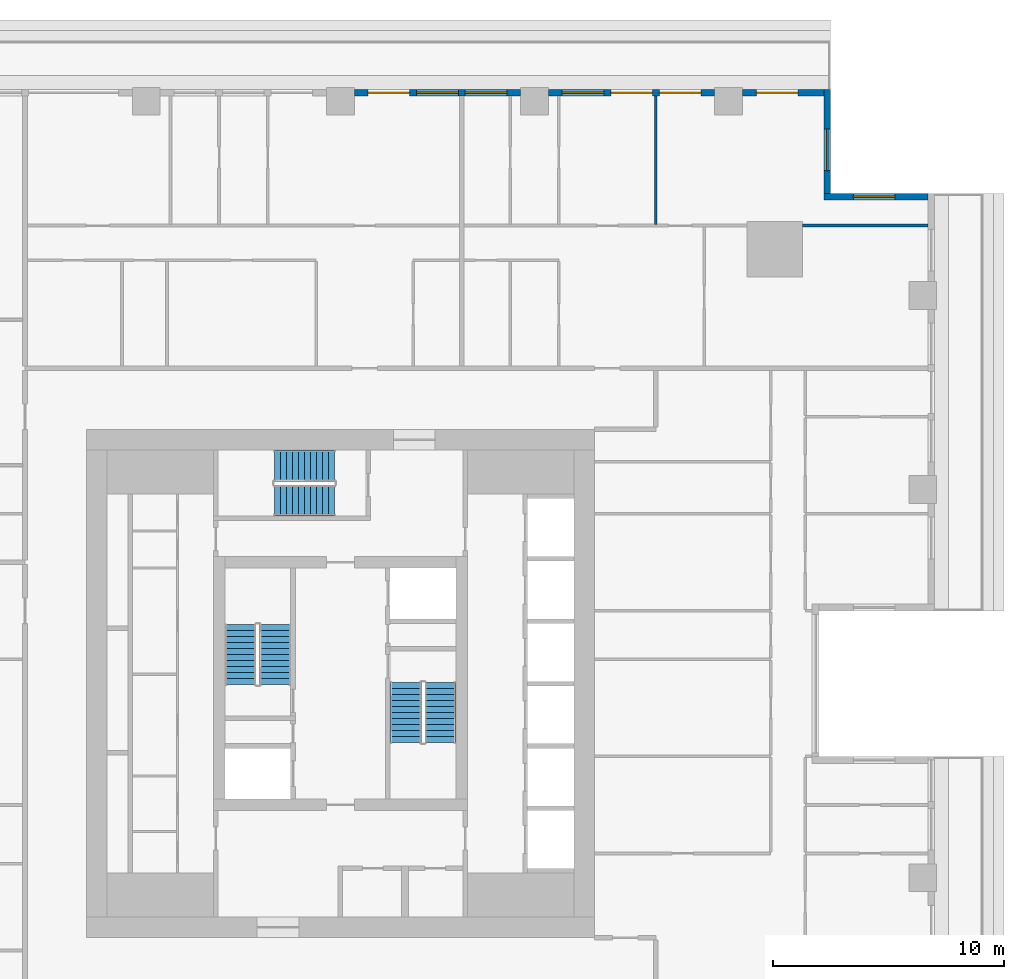
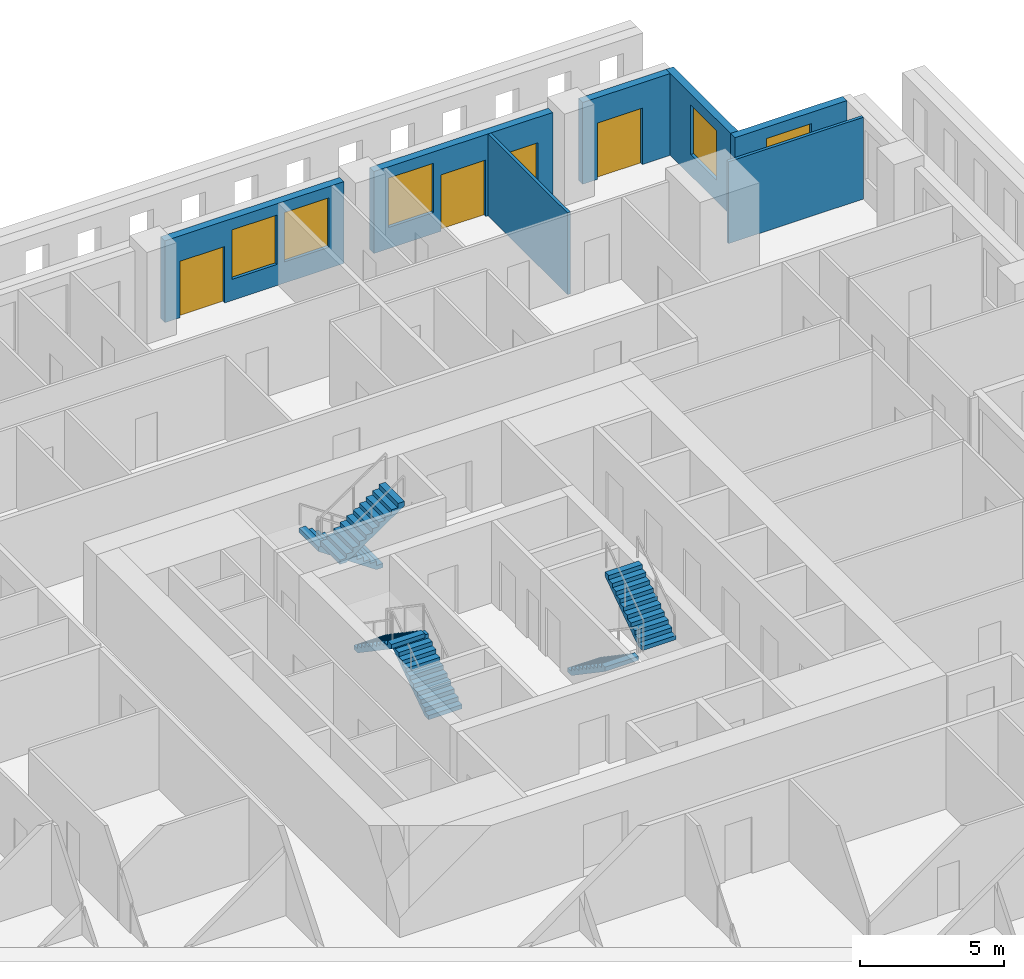
# One storey, part 10 of 16: 7 walls, 6 stair flights, 5 windows, 4 doors, 9 openings, 3 elements without a shape of their own.
"""IFC4 building model written with IfcOpenShell, lengths in metres."""

from ifc_helpers import new_model, si_unit, direction, frame, frame_2d, origin, place, context, subcontext, project, spatial, polyline, rectangle, outline, extrude, material, layer, layer_set, type_object, element, fill, aggregate, save


model = new_model("IFC4")

# Units and contexts
model_context = context("Model", 3, precision=1e-05, world=origin(), true_north=direction((0.0, 1.0)))
body_context = subcontext(model_context, "Body", "Model", "MODEL_VIEW")
ifc_project = project(units=[si_unit("LENGTHUNIT", "METRE"), si_unit("AREAUNIT", "SQUARE_METRE"), si_unit("VOLUMEUNIT", "CUBIC_METRE"), si_unit("PLANEANGLEUNIT", "RADIAN"), si_unit("MASSUNIT", "GRAM", prefix="KILO")], contexts=[model_context])

# Site, building, storey
site_placement = place(None, origin())
site = spatial("IfcSite", under=ifc_project, at=site_placement, CompositionType="ELEMENT")
building_placement = place(site_placement, origin())
building = spatial("IfcBuilding", under=site, at=building_placement, Name="Khepri Terraces", CompositionType="ELEMENT")
storey_placement = place(building_placement, frame((0.0, 0.0, 192.300048828125)))
storey = spatial("IfcBuildingStorey", under=building, at=storey_placement, Name="L45", CompositionType="ELEMENT", Elevation=192.300048828125)

# Wall, opening, window
ifc_material_1 = material(Name="Precast concrete C50/60 warm stone", Category="masonry")
ifc_layer_1 = layer(ifc_material_1, 0.300048828125, Name="Precast concrete C50/60 warm stone", Category="masonry")
ifc_layer_set_1 = layer_set([ifc_layer_1], Name="Precast concrete C50/60 warm stone")
wall_type_1 = type_object("IfcWallType", Name="WL-EXT-PRECAST-300", PredefinedType="STANDARD", material=ifc_layer_set_1)
wall_1_placement = place(storey_placement, frame((25.419921875, 21.070068359375, 0.0), z_axis=(0.0, 0.0, 1.0), x_axis=(-1.0, 0.0, 0.0)))
wall_1 = element("IfcWall", 1, at=wall_1_placement, inside=storey, type_object=wall_type_1, Name="External wall L45 N", PredefinedType="STANDARD", context=body_context, shape_type="SweptSolid", body=[
    extrude(rectangle(XDim=4.5, YDim=0.300048828125, at=frame_2d((2.25, 0.0))), origin(), (0.0, 0.0, 1.0), 3.47998046875),
])
opening_1_placement = place(wall_1_placement, frame((1.419921875, 0.0, 0.89990234375)))
opening_1 = element("IfcOpeningElement", 2, at=opening_1_placement, cuts=wall_1, Name="Opening W1", PredefinedType="OPENING", context=body_context, shape_type="SweptSolid", body=[
    extrude(rectangle(XDim=1.800048828125, YDim=2.10009765625, at=frame_2d((0.89990234375, 1.050048828125))), frame((0.0, 0.16015625, 0.0), z_axis=(0.0, -1.0, 0.0), x_axis=(1.0, 0.0, 0.0)), (0.0, 0.0, 1.0), 0.320068359375),
])
ifc_material_2 = material(Name="Clear glass", Category="glass")
window_type = type_object("IfcWindowType", Name="WIN-RES-1800x2100", PartitioningType="SINGLE_PANEL", PredefinedType="WINDOW", material=ifc_material_2)
window_1_placement = place(opening_1_placement, origin())
window_1 = element("IfcWindow", 3, at=window_1_placement, inside=storey, type_object=window_type, Name="Window L45 N", OverallHeight=2.10009765625, OverallWidth=1.800048828125, PartitioningType="SINGLE_PANEL", PredefinedType="WINDOW", context=body_context, shape_type="SweptSolid", body=[
    extrude(rectangle(XDim=1.800048828125, YDim=2.10009765625, at=frame_2d((0.89990234375, 1.050048828125))), frame((0.0, 0.030029296875, 0.0), z_axis=(0.0, -1.0, 0.0), x_axis=(1.0, 0.0, 0.0)), (0.0, 0.0, 1.0), 0.06005859375),
])
fill(opening_1, window_1)

wall_2_placement = place(storey_placement, frame((21.070068359375, 21.219970703125, 0.0), z_axis=(0.0, 0.0, 1.0), x_axis=(0.0, 1.0, 0.0)))
wall_2 = element("IfcWall", 4, at=wall_2_placement, inside=storey, type_object=wall_type_1, Name="External wall L45 E", PredefinedType="STANDARD", context=body_context, shape_type="SweptSolid", body=[
    extrude(rectangle(XDim=4.5, YDim=0.300048828125, at=frame_2d((2.25, 0.0))), origin(), (0.0, 0.0, 1.0), 3.47998046875),
])
opening_2_placement = place(wall_2_placement, frame((0.97998046875, 0.0, 0.89990234375)))
opening_2 = element("IfcOpeningElement", 5, at=opening_2_placement, cuts=wall_2, Name="Opening W1", PredefinedType="OPENING", context=body_context, shape_type="SweptSolid", body=[
    extrude(rectangle(XDim=1.800048828125, YDim=2.10009765625, at=frame_2d((0.89990234375, 1.050048828125))), frame((0.0, 0.16015625, 0.0), z_axis=(0.0, -1.0, 0.0), x_axis=(1.0, 0.0, 0.0)), (0.0, 0.0, 1.0), 0.320068359375),
])
window_2_placement = place(opening_2_placement, origin())
window_2 = element("IfcWindow", 6, at=window_2_placement, inside=storey, type_object=window_type, Name="Window L45 E", OverallHeight=2.10009765625, OverallWidth=1.800048828125, PartitioningType="SINGLE_PANEL", PredefinedType="WINDOW", context=body_context, shape_type="SweptSolid", body=[
    extrude(rectangle(XDim=1.800048828125, YDim=2.10009765625, at=frame_2d((0.89990234375, 1.050048828125))), frame((0.0, 0.030029296875, 0.0), z_axis=(0.0, -1.0, 0.0), x_axis=(1.0, 0.0, 0.0)), (0.0, 0.0, 1.0), 0.06005859375),
])
fill(opening_2, window_2)

# Wall, opening, door
wall_3_placement = place(storey_placement, frame((20.919921875, 25.570068359375, 0.0), z_axis=(0.0, 0.0, 1.0), x_axis=(-1.0, 0.0, 0.0)))
wall_3 = element("IfcWall", 7, at=wall_3_placement, inside=storey, type_object=wall_type_1, Name="External wall L45 N", PredefinedType="STANDARD", context=body_context, shape_type="SweptSolid", body=[
    extrude(rectangle(XDim=3.52001953125, YDim=0.300048828125, at=frame_2d((1.760009765625, 0.0))), origin(), (0.0, 0.0, 1.0), 3.47998046875),
])
opening_3_placement = place(wall_3_placement, frame((1.1201171875, 0.0, 0.0)))
opening_3 = element("IfcOpeningElement", 8, at=opening_3_placement, cuts=wall_3, Name="Opening ED-L45-05", PredefinedType="OPENING", context=body_context, shape_type="SweptSolid", body=[
    extrude(rectangle(XDim=1.800048828125, YDim=2.39990234375, at=frame_2d((0.89990234375, 1.199951171875))), frame((0.0, 0.16015625, 0.0), z_axis=(0.0, -1.0, 0.0), x_axis=(1.0, 0.0, 0.0)), (0.0, 0.0, 1.0), 0.320068359375),
])
ifc_material_3 = material(Name="Anodised aluminium bronze glazed door", Category="aluminium")
door_type = type_object("IfcDoorType", Name="DR-BAL-SLIDE-1800x2400", OperationType="NOTDEFINED", PredefinedType="DOOR", material=ifc_material_3)
door_1_placement = place(opening_3_placement, origin())
door_1 = element("IfcDoor", 9, at=door_1_placement, inside=storey, type_object=door_type, Name="Balcony door L45 N", OperationType="SLIDING_TO_RIGHT", OverallHeight=2.39990234375, OverallWidth=1.800048828125, PredefinedType="DOOR", context=body_context, shape_type="SweptSolid", body=[
    extrude(rectangle(XDim=1.800048828125, YDim=2.39990234375, at=frame_2d((0.89990234375, 1.199951171875))), frame((0.0, 0.02490234375, 0.0), z_axis=(0.0, -1.0, 0.0), x_axis=(1.0, 0.0, 0.0)), (0.0, 0.0, 1.0), 0.050048828125),
])
fill(opening_3, door_1)

# Wall, openings, doors, window
wall_4_placement = place(storey_placement, frame((16.199951171875, 25.570068359375, 0.0), z_axis=(0.0, 0.0, 1.0), x_axis=(-1.0, 0.0, 0.0)))
wall_4 = element("IfcWall", 10, at=wall_4_placement, inside=storey, type_object=wall_type_1, Name="External wall L45 N", PredefinedType="STANDARD", context=body_context, shape_type="SweptSolid", body=[
    extrude(rectangle(XDim=7.199951171875, YDim=0.300048828125, at=frame_2d((3.60009765625, 0.0))), origin(), (0.0, 0.0, 1.0), 3.47998046875),
])
opening_4_placement = place(wall_4_placement, frame((0.60009765625, 0.0, 0.0)))
opening_4 = element("IfcOpeningElement", 11, at=opening_4_placement, cuts=wall_4, Name="Opening ED-L45-06", PredefinedType="OPENING", context=body_context, shape_type="SweptSolid", body=[
    extrude(rectangle(XDim=1.800048828125, YDim=2.39990234375, at=frame_2d((0.89990234375, 1.199951171875))), frame((0.0, 0.16015625, 0.0), z_axis=(0.0, -1.0, 0.0), x_axis=(1.0, 0.0, 0.0)), (0.0, 0.0, 1.0), 0.320068359375),
])
opening_5_placement = place(wall_4_placement, frame((2.699951171875, 0.0, 0.0)))
opening_5 = element("IfcOpeningElement", 12, at=opening_5_placement, cuts=wall_4, Name="Opening ED-L45-07", PredefinedType="OPENING", context=body_context, shape_type="SweptSolid", body=[
    extrude(rectangle(XDim=1.800048828125, YDim=2.39990234375, at=frame_2d((0.89990234375, 1.199951171875))), frame((0.0, 0.16015625, 0.0), z_axis=(0.0, -1.0, 0.0), x_axis=(1.0, 0.0, 0.0)), (0.0, 0.0, 1.0), 0.320068359375),
])
opening_6_placement = place(wall_4_placement, frame((4.800048828125, 0.0, 0.89990234375)))
opening_6 = element("IfcOpeningElement", 13, at=opening_6_placement, cuts=wall_4, Name="Opening W1", PredefinedType="OPENING", context=body_context, shape_type="SweptSolid", body=[
    extrude(rectangle(XDim=1.800048828125, YDim=2.10009765625, at=frame_2d((0.89990234375, 1.050048828125))), frame((0.0, 0.16015625, 0.0), z_axis=(0.0, -1.0, 0.0), x_axis=(1.0, 0.0, 0.0)), (0.0, 0.0, 1.0), 0.320068359375),
])
door_2_placement = place(opening_4_placement, origin())
door_2 = element("IfcDoor", 14, at=door_2_placement, inside=storey, type_object=door_type, Name="Balcony door L45 N", OperationType="SLIDING_TO_LEFT", OverallHeight=2.39990234375, OverallWidth=1.800048828125, PredefinedType="DOOR", context=body_context, shape_type="SweptSolid", body=[
    extrude(rectangle(XDim=1.800048828125, YDim=2.39990234375, at=frame_2d((0.89990234375, 1.199951171875))), frame((0.0, 0.02490234375, 0.0), z_axis=(0.0, -1.0, 0.0), x_axis=(1.0, 0.0, 0.0)), (0.0, 0.0, 1.0), 0.050048828125),
])
fill(opening_4, door_2)
door_3_placement = place(opening_5_placement, origin())
door_3 = element("IfcDoor", 15, at=door_3_placement, inside=storey, type_object=door_type, Name="Balcony door L45 N", OperationType="SLIDING_TO_RIGHT", OverallHeight=2.39990234375, OverallWidth=1.800048828125, PredefinedType="DOOR", context=body_context, shape_type="SweptSolid", body=[
    extrude(rectangle(XDim=1.800048828125, YDim=2.39990234375, at=frame_2d((0.89990234375, 1.199951171875))), frame((0.0, 0.02490234375, 0.0), z_axis=(0.0, -1.0, 0.0), x_axis=(1.0, 0.0, 0.0)), (0.0, 0.0, 1.0), 0.050048828125),
])
fill(opening_5, door_3)
window_3_placement = place(opening_6_placement, origin())
window_3 = element("IfcWindow", 16, at=window_3_placement, inside=storey, type_object=window_type, Name="Window L45 N", OverallHeight=2.10009765625, OverallWidth=1.800048828125, PartitioningType="SINGLE_PANEL", PredefinedType="WINDOW", context=body_context, shape_type="SweptSolid", body=[
    extrude(rectangle(XDim=1.800048828125, YDim=2.10009765625, at=frame_2d((0.89990234375, 1.050048828125))), frame((0.0, 0.030029296875, 0.0), z_axis=(0.0, -1.0, 0.0), x_axis=(1.0, 0.0, 0.0)), (0.0, 0.0, 1.0), 0.06005859375),
])
fill(opening_6, window_3)

# Wall, openings, door, windows
wall_5_placement = place(storey_placement, frame((7.800048828125, 25.570068359375, 0.0), z_axis=(0.0, 0.0, 1.0), x_axis=(-1.0, 0.0, 0.0)))
wall_5 = element("IfcWall", 17, at=wall_5_placement, inside=storey, type_object=wall_type_1, Name="External wall L45 N", PredefinedType="STANDARD", context=body_context, shape_type="SweptSolid", body=[
    extrude(rectangle(XDim=7.199951171875, YDim=0.300048828125, at=frame_2d((3.60009765625, 0.0))), origin(), (0.0, 0.0, 1.0), 3.47998046875),
])
opening_7_placement = place(wall_5_placement, frame((0.60009765625, 0.0, 0.89990234375)))
opening_7 = element("IfcOpeningElement", 18, at=opening_7_placement, cuts=wall_5, Name="Opening W1", PredefinedType="OPENING", context=body_context, shape_type="SweptSolid", body=[
    extrude(rectangle(XDim=1.800048828125, YDim=2.10009765625, at=frame_2d((0.89990234375, 1.050048828125))), frame((0.0, 0.16015625, 0.0), z_axis=(0.0, -1.0, 0.0), x_axis=(1.0, 0.0, 0.0)), (0.0, 0.0, 1.0), 0.320068359375),
])
opening_8_placement = place(wall_5_placement, frame((2.699951171875, 0.0, 0.89990234375)))
opening_8 = element("IfcOpeningElement", 19, at=opening_8_placement, cuts=wall_5, Name="Opening W1", PredefinedType="OPENING", context=body_context, shape_type="SweptSolid", body=[
    extrude(rectangle(XDim=1.800048828125, YDim=2.10009765625, at=frame_2d((0.89990234375, 1.050048828125))), frame((0.0, 0.16015625, 0.0), z_axis=(0.0, -1.0, 0.0), x_axis=(1.0, 0.0, 0.0)), (0.0, 0.0, 1.0), 0.320068359375),
])
opening_9_placement = place(wall_5_placement, frame((4.800048828125, 0.0, 0.0)))
opening_9 = element("IfcOpeningElement", 20, at=opening_9_placement, cuts=wall_5, Name="Opening ED-L45-08", PredefinedType="OPENING", context=body_context, shape_type="SweptSolid", body=[
    extrude(rectangle(XDim=1.800048828125, YDim=2.39990234375, at=frame_2d((0.89990234375, 1.199951171875))), frame((0.0, 0.16015625, 0.0), z_axis=(0.0, -1.0, 0.0), x_axis=(1.0, 0.0, 0.0)), (0.0, 0.0, 1.0), 0.320068359375),
])
door_4_placement = place(opening_9_placement, origin())
door_4 = element("IfcDoor", 21, at=door_4_placement, inside=storey, type_object=door_type, Name="Balcony door L45 N", OperationType="SLIDING_TO_RIGHT", OverallHeight=2.39990234375, OverallWidth=1.800048828125, PredefinedType="DOOR", context=body_context, shape_type="SweptSolid", body=[
    extrude(rectangle(XDim=1.800048828125, YDim=2.39990234375, at=frame_2d((0.89990234375, 1.199951171875))), frame((0.0, 0.02490234375, 0.0), z_axis=(0.0, -1.0, 0.0), x_axis=(1.0, 0.0, 0.0)), (0.0, 0.0, 1.0), 0.050048828125),
])
fill(opening_9, door_4)
window_4_placement = place(opening_7_placement, origin())
window_4 = element("IfcWindow", 22, at=window_4_placement, inside=storey, type_object=window_type, Name="Window L45 N", OverallHeight=2.10009765625, OverallWidth=1.800048828125, PartitioningType="SINGLE_PANEL", PredefinedType="WINDOW", context=body_context, shape_type="SweptSolid", body=[
    extrude(rectangle(XDim=1.800048828125, YDim=2.10009765625, at=frame_2d((0.89990234375, 1.050048828125))), frame((0.0, 0.030029296875, 0.0), z_axis=(0.0, -1.0, 0.0), x_axis=(1.0, 0.0, 0.0)), (0.0, 0.0, 1.0), 0.06005859375),
])
fill(opening_7, window_4)
window_5_placement = place(opening_8_placement, origin())
window_5 = element("IfcWindow", 23, at=window_5_placement, inside=storey, type_object=window_type, Name="Window L45 N", OverallHeight=2.10009765625, OverallWidth=1.800048828125, PartitioningType="SINGLE_PANEL", PredefinedType="WINDOW", context=body_context, shape_type="SweptSolid", body=[
    extrude(rectangle(XDim=1.800048828125, YDim=2.10009765625, at=frame_2d((0.89990234375, 1.050048828125))), frame((0.0, 0.030029296875, 0.0), z_axis=(0.0, -1.0, 0.0), x_axis=(1.0, 0.0, 0.0)), (0.0, 0.0, 1.0), 0.06005859375),
])
fill(opening_8, window_5)

# Walls
ifc_material_4 = material(Name="Gypsum plasterboard partition")
ifc_layer_2 = layer(ifc_material_4, 0.1201171875, Name="Gypsum plasterboard partition")
ifc_layer_set_2 = layer_set([ifc_layer_2], Name="Gypsum plasterboard partition")
wall_type_2 = type_object("IfcWallType", Name="WL-PART-120", PredefinedType="PARTITIONING", material=ifc_layer_set_2)
wall_6_placement = place(storey_placement, frame((20.0, 19.820068359375, 0.0), z_axis=(0.0, 0.0, 1.0), x_axis=(1.0, 0.0, 0.0)))
element("IfcWall", 24, at=wall_6_placement, inside=storey, type_object=wall_type_2, Name="Partition P-107 L45", PredefinedType="PARTITIONING", context=body_context, shape_type="SweptSolid", body=[
    extrude(rectangle(XDim=5.419921875, YDim=0.1201171875, at=frame_2d((2.7099609375, 0.0))), origin(), (0.0, 0.0, 1.0), 3.47998046875),
])
wall_7_placement = place(storey_placement, frame((13.64990234375, 19.8798828125, 0.0), z_axis=(0.0, 0.0, 1.0), x_axis=(0.0, 1.0, 0.0)))
element("IfcWall", 25, at=wall_7_placement, inside=storey, type_object=wall_type_2, Name="Partition P-113 L45", PredefinedType="PARTITIONING", context=body_context, shape_type="SweptSolid", body=[
    extrude(rectangle(XDim=5.5400390625, YDim=0.1201171875, at=frame_2d((2.77001953125, 0.0))), origin(), (0.0, 0.0, 1.0), 3.47998046875),
])

# Stair, stair flights
ifc_material_5 = material(Name="Concrete C40/50", Category="concrete")
stair_type = type_object("IfcStairType", Name="STAIR-RC-22R", PredefinedType="HALF_TURN_STAIR", material=ifc_material_5)
stair_1_placement = place(storey_placement, origin())
stair_1 = element("IfcStair", 26, at=stair_1_placement, inside=storey, type_object=stair_type, Name="L45 Exit Stair ST-1", PredefinedType="HALF_TURN_STAIR")
stair_flight_type = type_object("IfcStairFlightType", Name="SFL-RC-177.3", PredefinedType="STRAIGHT", material=ifc_material_5)
stair_flight_1_placement = place(storey_placement, frame((-2.824951171875, -0.050048828125, 0.0), z_axis=(0.0, 0.0, 1.0), x_axis=(0.0, 1.0, 0.0)))
stair_flight_1 = element("IfcStairFlight", 27, at=stair_flight_1_placement, type_object=stair_flight_type, Name="ST-1 flight 1", NumberOfRisers=11, NumberOfTreads=10, PredefinedType="STRAIGHT", RiserHeight=0.177272727, TreadLength=0.26, context=body_context, shape_type="SweptSolid", body=[
    extrude(outline(polyline([(0.0, 0.0), (0.0, 0.17724609375), (0.260009765625, 0.17724609375), (0.260009765625, 0.3544921875), (0.52001953125, 0.3544921875), (0.52001953125, 0.53173828125), (0.780029296875, 0.53173828125), (0.780029296875, 0.708984375), (1.0400390625, 0.708984375), (1.0400390625, 0.886474609375), (1.300048828125, 0.886474609375), (1.300048828125, 1.063720703125), (1.56005859375, 1.063720703125), (1.56005859375, 1.240966796875), (1.820068359375, 1.240966796875), (1.820068359375, 1.418212890625), (2.080078125, 1.418212890625), (2.080078125, 1.595458984375), (2.340087890625, 1.595458984375), (2.340087890625, 1.772705078125), (2.60009765625, 1.772705078125), (2.60009765625, 1.949951171875), (2.60009765625, 1.59130859375), (0.26611328125, 0.0), (0.0, 0.0)])), frame((0.0, 0.675048828125, 0.0), z_axis=(0.0, -1.0, 0.0), x_axis=(1.0, 0.0, 0.0)), (0.0, 0.0, 1.0), 1.35009765625),
])
stair_flight_2_placement = place(storey_placement, frame((-4.324951171875, 2.550048828125, 1.949951171875), z_axis=(0.0, 0.0, 1.0), x_axis=(0.0, -1.0, 0.0)))
stair_flight_2 = element("IfcStairFlight", 28, at=stair_flight_2_placement, type_object=stair_flight_type, Name="ST-1 flight 2", NumberOfRisers=11, NumberOfTreads=10, PredefinedType="STRAIGHT", RiserHeight=0.177272727, TreadLength=0.26, context=body_context, shape_type="SweptSolid", body=[
    extrude(outline(polyline([(0.0, 0.0), (0.0, 0.17724609375), (0.260009765625, 0.17724609375), (0.260009765625, 0.3544921875), (0.52001953125, 0.3544921875), (0.52001953125, 0.53173828125), (0.780029296875, 0.53173828125), (0.780029296875, 0.708984375), (1.0400390625, 0.708984375), (1.0400390625, 0.886474609375), (1.300048828125, 0.886474609375), (1.300048828125, 1.063720703125), (1.56005859375, 1.063720703125), (1.56005859375, 1.240966796875), (1.820068359375, 1.240966796875), (1.820068359375, 1.418212890625), (2.080078125, 1.418212890625), (2.080078125, 1.595458984375), (2.340087890625, 1.595458984375), (2.340087890625, 1.772705078125), (2.60009765625, 1.772705078125), (2.60009765625, 1.949951171875), (2.60009765625, 1.59130859375), (0.26611328125, 0.0), (0.0, 0.0)])), frame((0.0, 0.675048828125, 0.0), z_axis=(0.0, -1.0, 0.0), x_axis=(1.0, 0.0, 0.0)), (0.0, 0.0, 1.0), 1.35009765625),
])
aggregate(stair_1, [stair_flight_1, stair_flight_2])

stair_2_placement = place(storey_placement, origin())
stair_2 = element("IfcStair", 29, at=stair_2_placement, inside=storey, type_object=stair_type, Name="L45 Exit Stair ST-2", PredefinedType="HALF_TURN_STAIR")
stair_flight_3_placement = place(storey_placement, frame((2.824951171875, 0.050048828125, 0.0), z_axis=(0.0, 0.0, 1.0), x_axis=(0.0, -1.0, 0.0)))
stair_flight_3 = element("IfcStairFlight", 30, at=stair_flight_3_placement, type_object=stair_flight_type, Name="ST-2 flight 1", NumberOfRisers=11, NumberOfTreads=10, PredefinedType="STRAIGHT", RiserHeight=0.177272727, TreadLength=0.26, context=body_context, shape_type="SweptSolid", body=[
    extrude(outline(polyline([(0.0, 0.0), (0.0, 0.17724609375), (0.260009765625, 0.17724609375), (0.260009765625, 0.3544921875), (0.52001953125, 0.3544921875), (0.52001953125, 0.53173828125), (0.780029296875, 0.53173828125), (0.780029296875, 0.708984375), (1.0400390625, 0.708984375), (1.0400390625, 0.886474609375), (1.300048828125, 0.886474609375), (1.300048828125, 1.063720703125), (1.56005859375, 1.063720703125), (1.56005859375, 1.240966796875), (1.820068359375, 1.240966796875), (1.820068359375, 1.418212890625), (2.080078125, 1.418212890625), (2.080078125, 1.595458984375), (2.340087890625, 1.595458984375), (2.340087890625, 1.772705078125), (2.60009765625, 1.772705078125), (2.60009765625, 1.949951171875), (2.60009765625, 1.59130859375), (0.26611328125, 0.0), (0.0, 0.0)])), frame((0.0, 0.675048828125, 0.0), z_axis=(0.0, -1.0, 0.0), x_axis=(1.0, 0.0, 0.0)), (0.0, 0.0, 1.0), 1.35009765625),
])
stair_flight_4_placement = place(storey_placement, frame((4.324951171875, -2.550048828125, 1.949951171875), z_axis=(0.0, 0.0, 1.0), x_axis=(0.0, 1.0, 0.0)))
stair_flight_4 = element("IfcStairFlight", 31, at=stair_flight_4_placement, type_object=stair_flight_type, Name="ST-2 flight 2", NumberOfRisers=11, NumberOfTreads=10, PredefinedType="STRAIGHT", RiserHeight=0.177272727, TreadLength=0.26, context=body_context, shape_type="SweptSolid", body=[
    extrude(outline(polyline([(0.0, 0.0), (0.0, 0.17724609375), (0.260009765625, 0.17724609375), (0.260009765625, 0.3544921875), (0.52001953125, 0.3544921875), (0.52001953125, 0.53173828125), (0.780029296875, 0.53173828125), (0.780029296875, 0.708984375), (1.0400390625, 0.708984375), (1.0400390625, 0.886474609375), (1.300048828125, 0.886474609375), (1.300048828125, 1.063720703125), (1.56005859375, 1.063720703125), (1.56005859375, 1.240966796875), (1.820068359375, 1.240966796875), (1.820068359375, 1.418212890625), (2.080078125, 1.418212890625), (2.080078125, 1.595458984375), (2.340087890625, 1.595458984375), (2.340087890625, 1.772705078125), (2.60009765625, 1.772705078125), (2.60009765625, 1.949951171875), (2.60009765625, 1.59130859375), (0.26611328125, 0.0), (0.0, 0.0)])), frame((0.0, 0.675048828125, 0.0), z_axis=(0.0, -1.0, 0.0), x_axis=(1.0, 0.0, 0.0)), (0.0, 0.0, 1.0), 1.35009765625),
])
aggregate(stair_2, [stair_flight_3, stair_flight_4])

stair_3_placement = place(storey_placement, origin())
stair_3 = element("IfcStair", 32, at=stair_3_placement, inside=storey, type_object=stair_type, Name="L45 Exit Stair ST-3", PredefinedType="HALF_TURN_STAIR")
stair_flight_5_placement = place(storey_placement, frame((-0.25, 9.425048828125, 0.0), z_axis=(0.0, 0.0, 1.0), x_axis=(-1.0, 0.0, 0.0)))
stair_flight_5 = element("IfcStairFlight", 33, at=stair_flight_5_placement, type_object=stair_flight_type, Name="ST-3 flight 1", NumberOfRisers=11, NumberOfTreads=10, PredefinedType="STRAIGHT", RiserHeight=0.177272727, TreadLength=0.26, context=body_context, shape_type="SweptSolid", body=[
    extrude(outline(polyline([(0.0, 0.0), (0.0, 0.17724609375), (0.260009765625, 0.17724609375), (0.260009765625, 0.3544921875), (0.52001953125, 0.3544921875), (0.52001953125, 0.53173828125), (0.780029296875, 0.53173828125), (0.780029296875, 0.708984375), (1.0400390625, 0.708984375), (1.0400390625, 0.886474609375), (1.300048828125, 0.886474609375), (1.300048828125, 1.063720703125), (1.56005859375, 1.063720703125), (1.56005859375, 1.240966796875), (1.820068359375, 1.240966796875), (1.820068359375, 1.418212890625), (2.080078125, 1.418212890625), (2.080078125, 1.595458984375), (2.340087890625, 1.595458984375), (2.340087890625, 1.772705078125), (2.60009765625, 1.772705078125), (2.60009765625, 1.949951171875), (2.60009765625, 1.59130859375), (0.26611328125, 0.0), (0.0, 0.0)])), frame((0.0, 0.675048828125, 0.0), z_axis=(0.0, -1.0, 0.0), x_axis=(1.0, 0.0, 0.0)), (0.0, 0.0, 1.0), 1.35009765625),
])
stair_flight_6_placement = place(storey_placement, frame((-2.85009765625, 7.925048828125, 1.949951171875), z_axis=(0.0, 0.0, 1.0), x_axis=(1.0, 0.0, 0.0)))
stair_flight_6 = element("IfcStairFlight", 34, at=stair_flight_6_placement, type_object=stair_flight_type, Name="ST-3 flight 2", NumberOfRisers=11, NumberOfTreads=10, PredefinedType="STRAIGHT", RiserHeight=0.177272727, TreadLength=0.26, context=body_context, shape_type="SweptSolid", body=[
    extrude(outline(polyline([(0.0, 0.0), (0.0, 0.17724609375), (0.260009765625, 0.17724609375), (0.260009765625, 0.3544921875), (0.52001953125, 0.3544921875), (0.52001953125, 0.53173828125), (0.780029296875, 0.53173828125), (0.780029296875, 0.708984375), (1.0400390625, 0.708984375), (1.0400390625, 0.886474609375), (1.300048828125, 0.886474609375), (1.300048828125, 1.063720703125), (1.56005859375, 1.063720703125), (1.56005859375, 1.240966796875), (1.820068359375, 1.240966796875), (1.820068359375, 1.418212890625), (2.080078125, 1.418212890625), (2.080078125, 1.595458984375), (2.340087890625, 1.595458984375), (2.340087890625, 1.772705078125), (2.60009765625, 1.772705078125), (2.60009765625, 1.949951171875), (2.60009765625, 1.59130859375), (0.26611328125, 0.0), (0.0, 0.0)])), frame((0.0, 0.675048828125, 0.0), z_axis=(0.0, -1.0, 0.0), x_axis=(1.0, 0.0, 0.0)), (0.0, 0.0, 1.0), 1.35009765625),
])
aggregate(stair_3, [stair_flight_5, stair_flight_6])

save(model, "model.ifc")
